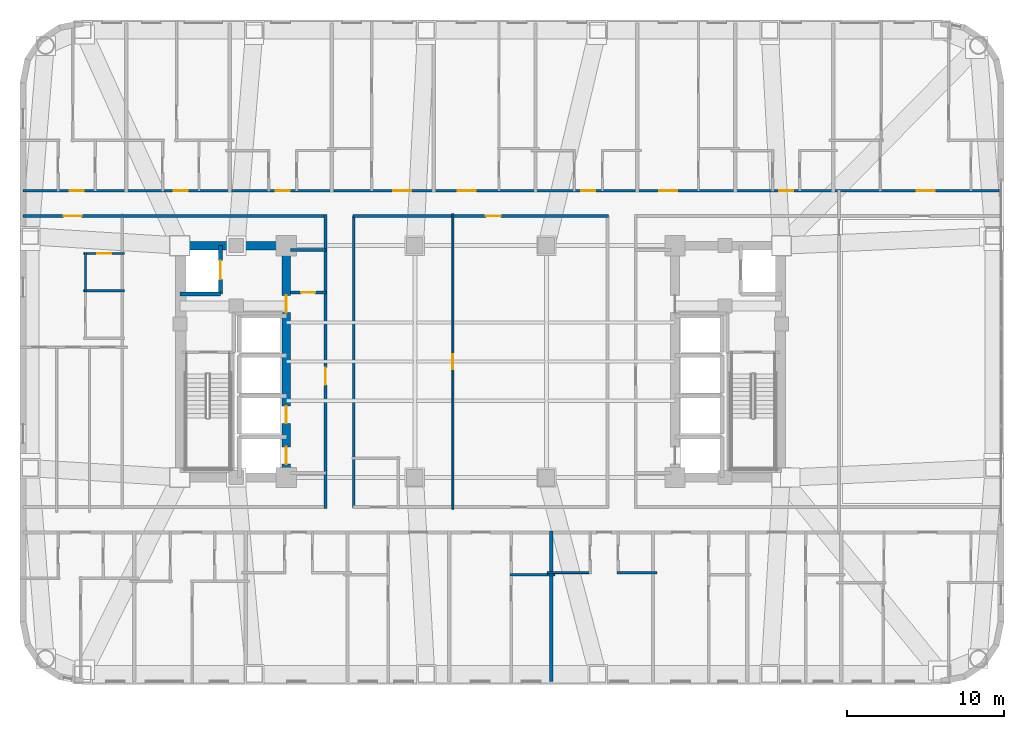
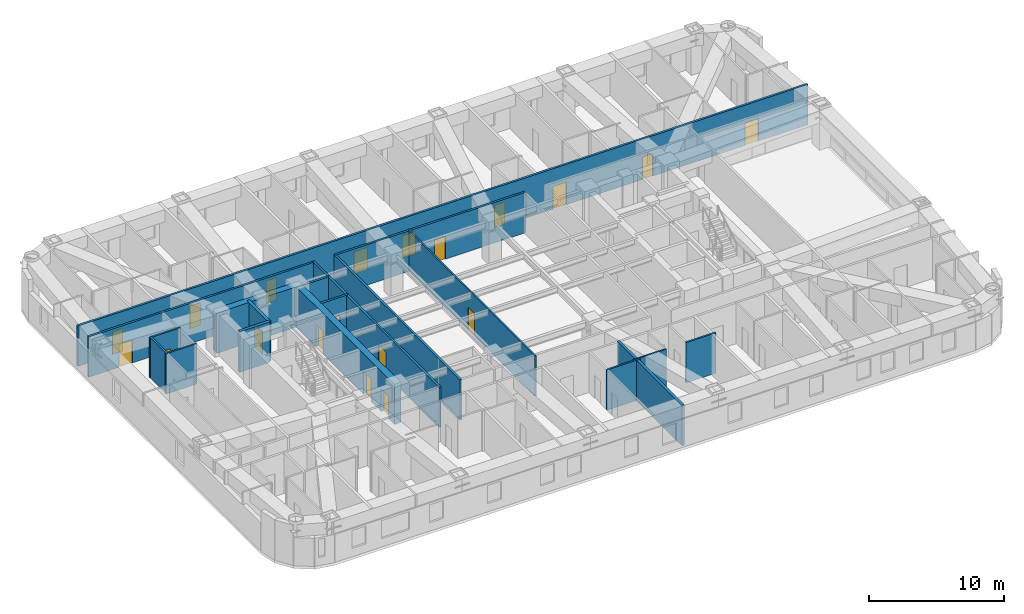
# One storey, part 10 of 16: 19 doors, 19 walls, 19 openings.
"""IFC4 building model written with IfcOpenShell, lengths in metres."""

from ifc_helpers import new_model, si_unit, direction, frame, frame_2d, origin, place, context, subcontext, project, spatial, rectangle, extrude, material, layer, layer_set, type_object, element, fill, save


model = new_model("IFC4")

# Units and contexts
model_context = context("Model", 3, precision=1e-05, world=origin(), true_north=direction((0.0, 1.0)))
body_context = subcontext(model_context, "Body", "Model", "MODEL_VIEW")
ifc_project = project(units=[si_unit("LENGTHUNIT", "METRE"), si_unit("AREAUNIT", "SQUARE_METRE"), si_unit("VOLUMEUNIT", "CUBIC_METRE"), si_unit("PLANEANGLEUNIT", "RADIAN"), si_unit("MASSUNIT", "GRAM", prefix="KILO")], contexts=[model_context])

# Site, building, storey
site_placement = place(None, origin())
site = spatial("IfcSite", under=ifc_project, at=site_placement, CompositionType="ELEMENT")
building_placement = place(site_placement, origin())
building = spatial("IfcBuilding", under=site, at=building_placement, Name="Voryun Gate Residences", CompositionType="ELEMENT")
storey_placement = place(building_placement, frame((0.0, 0.0, 89.699951171875)))
storey = spatial("IfcBuildingStorey", under=building, at=storey_placement, Name="L21", CompositionType="ELEMENT", Elevation=89.699951171875)

# Wall
ifc_material_1 = material(Name="Concrete C60/75", Category="concrete")
ifc_layer_1 = layer(ifc_material_1, 0.550048828125, Name="CW_CORE_550")
ifc_layer_set_1 = layer_set([ifc_layer_1], Name="Concrete C60/75")
wall_type_1 = type_object("IfcWallType", Name="CW_CORE_550", PredefinedType="SHEAR", material=ifc_layer_set_1)
wall_1_placement = place(storey_placement, frame((-19.47509765625, 7.39990234375, 0.0), z_axis=(0.0, 0.0, 1.0), x_axis=(1.0, 0.0, 0.0)))
element("IfcWall", 1, at=wall_1_placement, inside=storey, type_object=wall_type_1, Name="L21 Core shear wall CW-L21-WN", PredefinedType="SHEAR", context=body_context, shape_type="SweptSolid", body=[
    extrude(rectangle(XDim=7.35009765625, YDim=0.550048828125, at=frame_2d((3.675048828125, 0.0))), origin(), (0.0, 0.0, 1.0), 3.650146484375),
])

# Wall, openings, doors
wall_2_placement = place(storey_placement, frame((-12.39990234375, -7.39990234375, 0.0), z_axis=(0.0, 0.0, 1.0), x_axis=(0.0, 1.0, 0.0)))
wall_2 = element("IfcWall", 2, at=wall_2_placement, inside=storey, type_object=wall_type_1, Name="L21 Core shear wall CW-L21-WE", PredefinedType="SHEAR", context=body_context, shape_type="SweptSolid", body=[
    extrude(rectangle(XDim=14.7998046875, YDim=0.550048828125, at=frame_2d((7.39990234375, 0.0))), origin(), (0.0, 0.0, 1.0), 3.650146484375),
])
opening_1_placement = place(wall_2_placement, frame((0.85009765625, 0.0, 0.0)))
opening_1 = element("IfcOpeningElement", 3, at=opening_1_placement, cuts=wall_2, Name="Opening LD2", PredefinedType="OPENING", context=body_context, shape_type="SweptSolid", body=[
    extrude(rectangle(XDim=1.10009765625, YDim=2.050048828125, at=frame_2d((0.550048828125, 1.02490234375))), frame((0.0, 0.284912109375, 0.0), z_axis=(0.0, -1.0, 0.0), x_axis=(1.0, 0.0, 0.0)), (0.0, 0.0, 1.0), 0.570068359375),
])
opening_2_placement = place(wall_2_placement, frame((3.449951171875, 0.0, 0.0)))
opening_2 = element("IfcOpeningElement", 4, at=opening_2_placement, cuts=wall_2, Name="Opening LD2", PredefinedType="OPENING", context=body_context, shape_type="SweptSolid", body=[
    extrude(rectangle(XDim=1.10009765625, YDim=2.050048828125, at=frame_2d((0.550048828125, 1.02490234375))), frame((0.0, 0.284912109375, 0.0), z_axis=(0.0, -1.0, 0.0), x_axis=(1.0, 0.0, 0.0)), (0.0, 0.0, 1.0), 0.570068359375),
])
opening_3_placement = place(wall_2_placement, frame((10.530029296875, 0.0, 0.0)))
opening_3 = element("IfcOpeningElement", 5, at=opening_3_placement, cuts=wall_2, Name="Opening D-FD60-2", PredefinedType="OPENING", context=body_context, shape_type="SweptSolid", body=[
    extrude(rectangle(XDim=1.10009765625, YDim=2.050048828125, at=frame_2d((0.550048828125, 1.02490234375))), frame((0.0, 0.284912109375, 0.0), z_axis=(0.0, -1.0, 0.0), x_axis=(1.0, 0.0, 0.0)), (0.0, 0.0, 1.0), 0.570068359375),
])
ifc_material_2 = material(Name="Painted steel fire door", Category="steel")
door_type_1 = type_object("IfcDoorType", Name="DR_FD60_FFLOB_1100", OperationType="NOTDEFINED", PredefinedType="DOOR", material=ifc_material_2)
door_1_placement = place(opening_3_placement, origin())
door_1 = element("IfcDoor", 6, at=door_1_placement, inside=storey, type_object=door_type_1, Name="Door DR-L21-CLOB-W", OperationType="SINGLE_SWING_LEFT", OverallHeight=2.050048828125, OverallWidth=1.10009765625, PredefinedType="DOOR", context=body_context, shape_type="SweptSolid", body=[
    extrude(rectangle(XDim=1.10009765625, YDim=2.050048828125, at=frame_2d((0.550048828125, 1.02490234375))), frame((0.0, 0.02490234375, 0.0), z_axis=(0.0, -1.0, 0.0), x_axis=(1.0, 0.0, 0.0)), (0.0, 0.0, 1.0), 0.050048828125),
])
fill(opening_3, door_1)
ifc_material_3 = material(Name="Anodised aluminium", Category="aluminium")
door_type_2 = type_object("IfcDoorType", Name="DR_LD_PASS_1100", OperationType="NOTDEFINED", PredefinedType="DOOR", material=ifc_material_3)
door_2_placement = place(opening_1_placement, origin())
door_2 = element("IfcDoor", 7, at=door_2_placement, inside=storey, type_object=door_type_2, Name="Lift EL-P1 sliding landing door L21", OperationType="SLIDING_TO_LEFT", OverallHeight=2.050048828125, OverallWidth=1.10009765625, PredefinedType="DOOR", context=body_context, shape_type="SweptSolid", body=[
    extrude(rectangle(XDim=1.10009765625, YDim=2.050048828125, at=frame_2d((0.550048828125, 1.02490234375))), frame((0.0, 0.02490234375, 0.0), z_axis=(0.0, -1.0, 0.0), x_axis=(1.0, 0.0, 0.0)), (0.0, 0.0, 1.0), 0.050048828125),
])
fill(opening_1, door_2)
door_3_placement = place(opening_2_placement, origin())
door_3 = element("IfcDoor", 8, at=door_3_placement, inside=storey, type_object=door_type_2, Name="Lift EL-P2 sliding landing door L21", OperationType="SLIDING_TO_LEFT", OverallHeight=2.050048828125, OverallWidth=1.10009765625, PredefinedType="DOOR", context=body_context, shape_type="SweptSolid", body=[
    extrude(rectangle(XDim=1.10009765625, YDim=2.050048828125, at=frame_2d((0.550048828125, 1.02490234375))), frame((0.0, 0.02490234375, 0.0), z_axis=(0.0, -1.0, 0.0), x_axis=(1.0, 0.0, 0.0)), (0.0, 0.0, 1.0), 0.050048828125),
])
fill(opening_2, door_3)

# Wall
ifc_material_4 = material(Name="Gypsum acoustic fireboard")
ifc_layer_2 = layer(ifc_material_4, 0.179931640625, Name="W_CORR_RATED_180")
ifc_layer_set_2 = layer_set([ifc_layer_2], Name="Gypsum acoustic fireboard")
wall_type_2 = type_object("IfcWallType", Name="W_CORR_RATED_180", PredefinedType="PARTITIONING", material=ifc_layer_set_2)
wall_3_placement = place(storey_placement, frame((-12.14990234375, 7.1201171875, 0.0), z_axis=(0.0, 0.0, 1.0), x_axis=(1.0, 0.0, 0.0)))
element("IfcWall", 9, at=wall_3_placement, inside=storey, type_object=wall_type_2, Name="Partition wall WP-L21-PLBN-W", PredefinedType="PARTITIONING", context=body_context, shape_type="SweptSolid", body=[
    extrude(rectangle(XDim=2.27001953125, YDim=0.179931640625, at=frame_2d((1.135009765625, 0.0))), origin(), (0.0, 0.0, 1.0), 3.650146484375),
])

# Wall, opening, door
wall_4_placement = place(storey_placement, frame((-9.89990234375, -9.3798828125, 0.0), z_axis=(0.0, 0.0, 1.0), x_axis=(0.0, 1.0, 0.0)))
wall_4 = element("IfcWall", 10, at=wall_4_placement, inside=storey, type_object=wall_type_2, Name="Partition wall WP-L21-PLBW-FULL", PredefinedType="PARTITIONING", context=body_context, shape_type="SweptSolid", body=[
    extrude(rectangle(XDim=18.759765625, YDim=0.179931640625, at=frame_2d((9.3798828125, 0.0))), origin(), (0.0, 0.0, 1.0), 3.650146484375),
])
opening_4_placement = place(wall_4_placement, frame((7.89208984375, 0.0, 0.0)))
opening_4 = element("IfcOpeningElement", 11, at=opening_4_placement, cuts=wall_4, Name="Opening D-FD60-2", PredefinedType="OPENING", context=body_context, shape_type="SweptSolid", body=[
    extrude(rectangle(XDim=1.10009765625, YDim=2.050048828125, at=frame_2d((0.550048828125, 1.02490234375))), frame((0.0, 0.099853515625, 0.0), z_axis=(0.0, -1.0, 0.0), x_axis=(1.0, 0.0, 0.0)), (0.0, 0.0, 1.0), 0.199951171875),
])
door_4_placement = place(opening_4_placement, origin())
door_4 = element("IfcDoor", 12, at=door_4_placement, inside=storey, type_object=door_type_1, Name="Door DR-L21-PLBW-COR", OperationType="SINGLE_SWING_LEFT", OverallHeight=2.050048828125, OverallWidth=1.10009765625, PredefinedType="DOOR", context=body_context, shape_type="SweptSolid", body=[
    extrude(rectangle(XDim=1.10009765625, YDim=2.050048828125, at=frame_2d((0.550048828125, 1.02490234375))), frame((0.0, 0.02490234375, 0.0), z_axis=(0.0, -1.0, 0.0), x_axis=(1.0, 0.0, 0.0)), (0.0, 0.0, 1.0), 0.050048828125),
])
fill(opening_4, door_4)

wall_5_placement = place(storey_placement, frame((-29.2099609375, 9.2900390625, 0.0), z_axis=(0.0, 0.0, 1.0), x_axis=(1.0, 0.0, 0.0)))
wall_5 = element("IfcWall", 13, at=wall_5_placement, inside=storey, type_object=wall_type_2, Name="Partition wall WP-L21-CWING-WN", PredefinedType="PARTITIONING", context=body_context, shape_type="SweptSolid", body=[
    extrude(rectangle(XDim=19.330078125, YDim=0.179931640625, at=frame_2d((9.6650390625, 0.0))), origin(), (0.0, 0.0, 1.0), 3.650146484375),
])
opening_5_placement = place(wall_5_placement, frame((2.58935546875, 0.0, 0.0)))
opening_5 = element("IfcOpeningElement", 14, at=opening_5_placement, cuts=wall_5, Name="Opening D-UNIT-1", PredefinedType="OPENING", context=body_context, shape_type="SweptSolid", body=[
    extrude(rectangle(XDim=1.14990234375, YDim=2.050048828125, at=frame_2d((0.574951171875, 1.02490234375))), frame((0.0, 0.099853515625, 0.0), z_axis=(0.0, -1.0, 0.0), x_axis=(1.0, 0.0, 0.0)), (0.0, 0.0, 1.0), 0.199951171875),
])
ifc_material_5 = material(Name="Armoured timber-clad fire door", Category="wood")
door_type_3 = type_object("IfcDoorType", Name="DR_UNIT_ENTRY_1150", OperationType="NOTDEFINED", PredefinedType="DOOR", material=ifc_material_5)
door_5_placement = place(opening_5_placement, origin())
door_5 = element("IfcDoor", 15, at=door_5_placement, inside=storey, type_object=door_type_3, Name="Door DR-L21-WE1N", OperationType="SINGLE_SWING_LEFT", OverallHeight=2.050048828125, OverallWidth=1.14990234375, PredefinedType="DOOR", context=body_context, shape_type="SweptSolid", body=[
    extrude(rectangle(XDim=1.14990234375, YDim=2.050048828125, at=frame_2d((0.574951171875, 1.02490234375))), frame((0.0, 0.02490234375, 0.0), z_axis=(0.0, -1.0, 0.0), x_axis=(1.0, 0.0, 0.0)), (0.0, 0.0, 1.0), 0.050048828125),
])
fill(opening_5, door_5)

wall_6_placement = place(storey_placement, frame((-8.14990234375, 9.2900390625, 0.0), z_axis=(0.0, 0.0, 1.0), x_axis=(1.0, 0.0, 0.0)))
wall_6 = element("IfcWall", 16, at=wall_6_placement, inside=storey, type_object=wall_type_2, Name="Partition wall WP-L21-Z1N", PredefinedType="PARTITIONING", context=body_context, shape_type="SweptSolid", body=[
    extrude(rectangle(XDim=16.2998046875, YDim=0.179931640625, at=frame_2d((8.14990234375, 0.0))), origin(), (0.0, 0.0, 1.0), 3.650146484375),
])
opening_6_placement = place(wall_6_placement, frame((8.489990234375, 0.0, 0.0)))
opening_6 = element("IfcOpeningElement", 17, at=opening_6_placement, cuts=wall_6, Name="Opening D-INT-1", PredefinedType="OPENING", context=body_context, shape_type="SweptSolid", body=[
    extrude(rectangle(XDim=0.949951171875, YDim=2.050048828125, at=frame_2d((0.47509765625, 1.02490234375))), frame((0.0, 0.099853515625, 0.0), z_axis=(0.0, -1.0, 0.0), x_axis=(1.0, 0.0, 0.0)), (0.0, 0.0, 1.0), 0.199951171875),
])
ifc_material_6 = material(Name="Architectural oak veneer")
door_type_4 = type_object("IfcDoorType", Name="DR_INT_ROOM_950", OperationType="NOTDEFINED", PredefinedType="DOOR", material=ifc_material_6)
door_6_placement = place(opening_6_placement, origin())
door_6 = element("IfcDoor", 18, at=door_6_placement, inside=storey, type_object=door_type_4, Name="Door DR-L21-CMIDZ1N", OperationType="SINGLE_SWING_LEFT", OverallHeight=2.050048828125, OverallWidth=0.949951171875, PredefinedType="DOOR", context=body_context, shape_type="SweptSolid", body=[
    extrude(rectangle(XDim=0.949951171875, YDim=2.050048828125, at=frame_2d((0.47509765625, 1.02490234375))), frame((0.0, 0.02490234375, 0.0), z_axis=(0.0, -1.0, 0.0), x_axis=(1.0, 0.0, 0.0)), (0.0, 0.0, 1.0), 0.050048828125),
])
fill(opening_6, door_6)

# Wall
wall_7_placement = place(storey_placement, frame((-8.10009765625, -9.330078125, 0.0), z_axis=(0.0, 0.0, 1.0), x_axis=(0.0, 1.0, 0.0)))
element("IfcWall", 19, at=wall_7_placement, inside=storey, type_object=wall_type_2, Name="Partition wall WP-L21-Z1W", PredefinedType="PARTITIONING", context=body_context, shape_type="SweptSolid", body=[
    extrude(rectangle(XDim=18.66015625, YDim=0.179931640625, at=frame_2d((9.330078125, 0.0))), origin(), (0.0, 0.0, 1.0), 3.650146484375),
])

# Wall, openings, doors
wall_8_placement = place(storey_placement, frame((-29.2099609375, 10.89990234375, 0.0), z_axis=(0.0, 0.0, 1.0), x_axis=(1.0, 0.0, 0.0)))
wall_8 = element("IfcWall", 20, at=wall_8_placement, inside=storey, type_object=wall_type_2, Name="Partition wall WP-L21-NCORR", PredefinedType="PARTITIONING", context=body_context, shape_type="SweptSolid", body=[
    extrude(rectangle(XDim=62.419921875, YDim=0.179931640625, at=frame_2d((31.2099609375, 0.0))), origin(), (0.0, 0.0, 1.0), 3.650146484375),
])
opening_7_placement = place(wall_8_placement, frame((2.983154296875, 0.0, 0.0)))
opening_7 = element("IfcOpeningElement", 21, at=opening_7_placement, cuts=wall_8, Name="Opening D-INT-2", PredefinedType="OPENING", context=body_context, shape_type="SweptSolid", body=[
    extrude(rectangle(XDim=0.89990234375, YDim=2.050048828125, at=frame_2d((0.449951171875, 1.02490234375))), frame((0.0, 0.099853515625, 0.0), z_axis=(0.0, -1.0, 0.0), x_axis=(1.0, 0.0, 0.0)), (0.0, 0.0, 1.0), 0.199951171875),
])
opening_8_placement = place(wall_8_placement, frame((9.618408203125, 0.0, 0.0)))
opening_8 = element("IfcOpeningElement", 22, at=opening_8_placement, cuts=wall_8, Name="Opening D-INT-2", PredefinedType="OPENING", context=body_context, shape_type="SweptSolid", body=[
    extrude(rectangle(XDim=0.89990234375, YDim=2.050048828125, at=frame_2d((0.449951171875, 1.02490234375))), frame((0.0, 0.099853515625, 0.0), z_axis=(0.0, -1.0, 0.0), x_axis=(1.0, 0.0, 0.0)), (0.0, 0.0, 1.0), 0.199951171875),
])
opening_9_placement = place(wall_8_placement, frame((16.135009765625, 0.0, 0.0)))
opening_9 = element("IfcOpeningElement", 23, at=opening_9_placement, cuts=wall_8, Name="Opening D-INT-2", PredefinedType="OPENING", context=body_context, shape_type="SweptSolid", body=[
    extrude(rectangle(XDim=0.89990234375, YDim=2.050048828125, at=frame_2d((0.449951171875, 1.02490234375))), frame((0.0, 0.099853515625, 0.0), z_axis=(0.0, -1.0, 0.0), x_axis=(1.0, 0.0, 0.0)), (0.0, 0.0, 1.0), 0.199951171875),
])
opening_10_placement = place(wall_8_placement, frame((23.631591796875, 0.0, 0.0)))
opening_10 = element("IfcOpeningElement", 24, at=opening_10_placement, cuts=wall_8, Name="Opening D-UNIT-1", PredefinedType="OPENING", context=body_context, shape_type="SweptSolid", body=[
    extrude(rectangle(XDim=1.14990234375, YDim=2.050048828125, at=frame_2d((0.574951171875, 1.02490234375))), frame((0.0, 0.099853515625, 0.0), z_axis=(0.0, -1.0, 0.0), x_axis=(1.0, 0.0, 0.0)), (0.0, 0.0, 1.0), 0.199951171875),
])
opening_11_placement = place(wall_8_placement, frame((27.751220703125, 0.0, 0.0)))
opening_11 = element("IfcOpeningElement", 25, at=opening_11_placement, cuts=wall_8, Name="Opening D-UNIT-1", PredefinedType="OPENING", context=body_context, shape_type="SweptSolid", body=[
    extrude(rectangle(XDim=1.14990234375, YDim=2.050048828125, at=frame_2d((0.574951171875, 1.02490234375))), frame((0.0, 0.099853515625, 0.0), z_axis=(0.0, -1.0, 0.0), x_axis=(1.0, 0.0, 0.0)), (0.0, 0.0, 1.0), 0.199951171875),
])
opening_12_placement = place(wall_8_placement, frame((35.635009765625, 0.0, 0.0)))
opening_12 = element("IfcOpeningElement", 26, at=opening_12_placement, cuts=wall_8, Name="Opening D-INT-2", PredefinedType="OPENING", context=body_context, shape_type="SweptSolid", body=[
    extrude(rectangle(XDim=0.89990234375, YDim=2.050048828125, at=frame_2d((0.449951171875, 1.02490234375))), frame((0.0, 0.099853515625, 0.0), z_axis=(0.0, -1.0, 0.0), x_axis=(1.0, 0.0, 0.0)), (0.0, 0.0, 1.0), 0.199951171875),
])
opening_13_placement = place(wall_8_placement, frame((40.615966796875, 0.0, 0.0)))
opening_13 = element("IfcOpeningElement", 27, at=opening_13_placement, cuts=wall_8, Name="Opening D-UNIT-1", PredefinedType="OPENING", context=body_context, shape_type="SweptSolid", body=[
    extrude(rectangle(XDim=1.14990234375, YDim=2.050048828125, at=frame_2d((0.574951171875, 1.02490234375))), frame((0.0, 0.099853515625, 0.0), z_axis=(0.0, -1.0, 0.0), x_axis=(1.0, 0.0, 0.0)), (0.0, 0.0, 1.0), 0.199951171875),
])
opening_14_placement = place(wall_8_placement, frame((48.25634765625, 0.0, 0.0)))
opening_14 = element("IfcOpeningElement", 28, at=opening_14_placement, cuts=wall_8, Name="Opening D-INT-2", PredefinedType="OPENING", context=body_context, shape_type="SweptSolid", body=[
    extrude(rectangle(XDim=0.89990234375, YDim=2.050048828125, at=frame_2d((0.449951171875, 1.02490234375))), frame((0.0, 0.099853515625, 0.0), z_axis=(0.0, -1.0, 0.0), x_axis=(1.0, 0.0, 0.0)), (0.0, 0.0, 1.0), 0.199951171875),
])
opening_15_placement = place(wall_8_placement, frame((57.032470703125, 0.0, 0.0)))
opening_15 = element("IfcOpeningElement", 29, at=opening_15_placement, cuts=wall_8, Name="Opening D-UNIT-1", PredefinedType="OPENING", context=body_context, shape_type="SweptSolid", body=[
    extrude(rectangle(XDim=1.14990234375, YDim=2.050048828125, at=frame_2d((0.574951171875, 1.02490234375))), frame((0.0, 0.099853515625, 0.0), z_axis=(0.0, -1.0, 0.0), x_axis=(1.0, 0.0, 0.0)), (0.0, 0.0, 1.0), 0.199951171875),
])
ifc_material_7 = material(Name="Architectural oak veneer")
door_type_5 = type_object("IfcDoorType", Name="DR_INT_BATH_900", OperationType="NOTDEFINED", PredefinedType="DOOR", material=ifc_material_7)
door_7_placement = place(opening_7_placement, origin())
door_7 = element("IfcDoor", 30, at=door_7_placement, inside=storey, type_object=door_type_5, Name="Door DR-L21-NENT-1", OperationType="SINGLE_SWING_LEFT", OverallHeight=2.050048828125, OverallWidth=0.89990234375, PredefinedType="DOOR", context=body_context, shape_type="SweptSolid", body=[
    extrude(rectangle(XDim=0.89990234375, YDim=2.050048828125, at=frame_2d((0.449951171875, 1.02490234375))), frame((0.0, 0.02490234375, 0.0), z_axis=(0.0, -1.0, 0.0), x_axis=(1.0, 0.0, 0.0)), (0.0, 0.0, 1.0), 0.050048828125),
])
fill(opening_7, door_7)
door_8_placement = place(opening_8_placement, origin())
door_8 = element("IfcDoor", 31, at=door_8_placement, inside=storey, type_object=door_type_5, Name="Door DR-L21-NENT-2", OperationType="SINGLE_SWING_RIGHT", OverallHeight=2.050048828125, OverallWidth=0.89990234375, PredefinedType="DOOR", context=body_context, shape_type="SweptSolid", body=[
    extrude(rectangle(XDim=0.89990234375, YDim=2.050048828125, at=frame_2d((0.449951171875, 1.02490234375))), frame((0.0, 0.02490234375, 0.0), z_axis=(0.0, -1.0, 0.0), x_axis=(1.0, 0.0, 0.0)), (0.0, 0.0, 1.0), 0.050048828125),
])
fill(opening_8, door_8)
door_9_placement = place(opening_9_placement, origin())
door_9 = element("IfcDoor", 32, at=door_9_placement, inside=storey, type_object=door_type_5, Name="Door DR-L21-NENT-3", OperationType="SINGLE_SWING_LEFT", OverallHeight=2.050048828125, OverallWidth=0.89990234375, PredefinedType="DOOR", context=body_context, shape_type="SweptSolid", body=[
    extrude(rectangle(XDim=0.89990234375, YDim=2.050048828125, at=frame_2d((0.449951171875, 1.02490234375))), frame((0.0, 0.02490234375, 0.0), z_axis=(0.0, -1.0, 0.0), x_axis=(1.0, 0.0, 0.0)), (0.0, 0.0, 1.0), 0.050048828125),
])
fill(opening_9, door_9)
door_10_placement = place(opening_12_placement, origin())
door_10 = element("IfcDoor", 33, at=door_10_placement, inside=storey, type_object=door_type_5, Name="Door DR-L21-NENT-6", OperationType="SINGLE_SWING_RIGHT", OverallHeight=2.050048828125, OverallWidth=0.89990234375, PredefinedType="DOOR", context=body_context, shape_type="SweptSolid", body=[
    extrude(rectangle(XDim=0.89990234375, YDim=2.050048828125, at=frame_2d((0.449951171875, 1.02490234375))), frame((0.0, 0.02490234375, 0.0), z_axis=(0.0, -1.0, 0.0), x_axis=(1.0, 0.0, 0.0)), (0.0, 0.0, 1.0), 0.050048828125),
])
fill(opening_12, door_10)
door_11_placement = place(opening_14_placement, origin())
door_11 = element("IfcDoor", 34, at=door_11_placement, inside=storey, type_object=door_type_5, Name="Door DR-L21-NENT-8", OperationType="SINGLE_SWING_RIGHT", OverallHeight=2.050048828125, OverallWidth=0.89990234375, PredefinedType="DOOR", context=body_context, shape_type="SweptSolid", body=[
    extrude(rectangle(XDim=0.89990234375, YDim=2.050048828125, at=frame_2d((0.449951171875, 1.02490234375))), frame((0.0, 0.02490234375, 0.0), z_axis=(0.0, -1.0, 0.0), x_axis=(1.0, 0.0, 0.0)), (0.0, 0.0, 1.0), 0.050048828125),
])
fill(opening_14, door_11)
door_12_placement = place(opening_10_placement, origin())
door_12 = element("IfcDoor", 35, at=door_12_placement, inside=storey, type_object=door_type_3, Name="Door DR-L21-NENT-4", OperationType="SINGLE_SWING_RIGHT", OverallHeight=2.050048828125, OverallWidth=1.14990234375, PredefinedType="DOOR", context=body_context, shape_type="SweptSolid", body=[
    extrude(rectangle(XDim=1.14990234375, YDim=2.050048828125, at=frame_2d((0.574951171875, 1.02490234375))), frame((0.0, 0.02490234375, 0.0), z_axis=(0.0, -1.0, 0.0), x_axis=(1.0, 0.0, 0.0)), (0.0, 0.0, 1.0), 0.050048828125),
])
fill(opening_10, door_12)
door_13_placement = place(opening_11_placement, origin())
door_13 = element("IfcDoor", 36, at=door_13_placement, inside=storey, type_object=door_type_3, Name="Door DR-L21-NENT-5", OperationType="SINGLE_SWING_LEFT", OverallHeight=2.050048828125, OverallWidth=1.14990234375, PredefinedType="DOOR", context=body_context, shape_type="SweptSolid", body=[
    extrude(rectangle(XDim=1.14990234375, YDim=2.050048828125, at=frame_2d((0.574951171875, 1.02490234375))), frame((0.0, 0.02490234375, 0.0), z_axis=(0.0, -1.0, 0.0), x_axis=(1.0, 0.0, 0.0)), (0.0, 0.0, 1.0), 0.050048828125),
])
fill(opening_11, door_13)
door_14_placement = place(opening_13_placement, origin())
door_14 = element("IfcDoor", 37, at=door_14_placement, inside=storey, type_object=door_type_3, Name="Door DR-L21-NENT-7", OperationType="SINGLE_SWING_LEFT", OverallHeight=2.050048828125, OverallWidth=1.14990234375, PredefinedType="DOOR", context=body_context, shape_type="SweptSolid", body=[
    extrude(rectangle(XDim=1.14990234375, YDim=2.050048828125, at=frame_2d((0.574951171875, 1.02490234375))), frame((0.0, 0.02490234375, 0.0), z_axis=(0.0, -1.0, 0.0), x_axis=(1.0, 0.0, 0.0)), (0.0, 0.0, 1.0), 0.050048828125),
])
fill(opening_13, door_14)
door_15_placement = place(opening_15_placement, origin())
door_15 = element("IfcDoor", 38, at=door_15_placement, inside=storey, type_object=door_type_3, Name="Door DR-L21-NENT-9", OperationType="SINGLE_SWING_LEFT", OverallHeight=2.050048828125, OverallWidth=1.14990234375, PredefinedType="DOOR", context=body_context, shape_type="SweptSolid", body=[
    extrude(rectangle(XDim=1.14990234375, YDim=2.050048828125, at=frame_2d((0.574951171875, 1.02490234375))), frame((0.0, 0.02490234375, 0.0), z_axis=(0.0, -1.0, 0.0), x_axis=(1.0, 0.0, 0.0)), (0.0, 0.0, 1.0), 0.050048828125),
])
fill(opening_15, door_15)

# Wall, opening, door
ifc_material_8 = material(Name="Concrete C40/50", Category="concrete")
ifc_layer_3 = layer(ifc_material_8, 0.199951171875, Name="W_FF_LOBBY_200")
ifc_layer_set_3 = layer_set([ifc_layer_3], Name="Concrete C40/50")
wall_type_3 = type_object("IfcWallType", Name="W_FF_LOBBY_200", PredefinedType="PARTITIONING", material=ifc_layer_set_3)
wall_9_placement = place(storey_placement, frame((-12.14990234375, 4.409912109375, 0.0), z_axis=(0.0, 0.0, 1.0), x_axis=(1.0, 0.0, 0.0)))
wall_9 = element("IfcWall", 39, at=wall_9_placement, inside=storey, type_object=wall_type_3, Name="Partition wall WP-L21-CSFLKS-W", PredefinedType="PARTITIONING", context=body_context, shape_type="SweptSolid", body=[
    extrude(rectangle(XDim=2.27001953125, YDim=0.199951171875, at=frame_2d((1.135009765625, 0.0))), origin(), (0.0, 0.0, 1.0), 3.650146484375),
])
opening_16_placement = place(wall_9_placement, frame((0.68505859375, 0.0, 0.0)))
opening_16 = element("IfcOpeningElement", 40, at=opening_16_placement, cuts=wall_9, Name="Opening D-FD60-4", PredefinedType="OPENING", context=body_context, shape_type="SweptSolid", body=[
    extrude(rectangle(XDim=0.89990234375, YDim=2.050048828125, at=frame_2d((0.449951171875, 1.02490234375))), frame((0.0, 0.110107421875, 0.0), z_axis=(0.0, -1.0, 0.0), x_axis=(1.0, 0.0, 0.0)), (0.0, 0.0, 1.0), 0.219970703125),
])
ifc_material_9 = material(Name="Painted steel fire door", Category="steel")
door_type_6 = type_object("IfcDoorType", Name="DR_FD60_RISER_900", OperationType="NOTDEFINED", PredefinedType="DOOR", material=ifc_material_9)
door_16_placement = place(opening_16_placement, origin())
door_16 = element("IfcDoor", 41, at=door_16_placement, inside=storey, type_object=door_type_6, Name="Door DR-L21-CSFLK-W", OperationType="SINGLE_SWING_LEFT", OverallHeight=2.050048828125, OverallWidth=0.89990234375, PredefinedType="DOOR", context=body_context, shape_type="SweptSolid", body=[
    extrude(rectangle(XDim=0.89990234375, YDim=2.050048828125, at=frame_2d((0.449951171875, 1.02490234375))), frame((0.0, 0.02490234375, 0.0), z_axis=(0.0, -1.0, 0.0), x_axis=(1.0, 0.0, 0.0)), (0.0, 0.0, 1.0), 0.050048828125),
])
fill(opening_16, door_16)

# Walls
ifc_material_10 = material(Name="Concrete C40/50", Category="concrete")
ifc_layer_4 = layer(ifc_material_10, 0.219970703125, Name="W_PARTY_ACOUSTIC_220")
ifc_layer_set_4 = layer_set([ifc_layer_4], Name="Concrete C40/50")
wall_type_4 = type_object("IfcWallType", Name="W_PARTY_ACOUSTIC_220", PredefinedType="PARTITIONING", material=ifc_layer_set_4)
wall_10_placement = place(storey_placement, frame((4.5, -20.409912109375, 0.0), z_axis=(0.0, 0.0, 1.0), x_axis=(0.0, 1.0, 0.0)))
element("IfcWall", 42, at=wall_10_placement, inside=storey, type_object=wall_type_4, Name="Partition wall WP-L21-SPTY-5", PredefinedType="PARTITIONING", context=body_context, shape_type="SweptSolid", body=[
    extrude(rectangle(XDim=9.58984375, YDim=0.219970703125, at=frame_2d((4.794921875, 0.0))), origin(), (0.0, 0.0, 1.0), 3.650146484375),
])
ifc_material_11 = material(Name="Concrete C50/60", Category="concrete")
ifc_layer_5 = layer(ifc_material_11, 0.25, Name="W_SHAFT_RC250")
ifc_layer_set_5 = layer_set([ifc_layer_5], Name="Concrete C50/60")
wall_type_5 = type_object("IfcWallType", Name="W_SHAFT_RC250", PredefinedType="SOLIDWALL", material=ifc_layer_set_5)
wall_11_placement = place(storey_placement, frame((-19.199951171875, 4.300048828125, 0.0), z_axis=(0.0, 0.0, 1.0), x_axis=(1.0, 0.0, 0.0)))
element("IfcWall", 43, at=wall_11_placement, inside=storey, type_object=wall_type_5, Name="Lift shaft wall WSH-L21-EL-FF-W1-S", PredefinedType="SOLIDWALL", context=body_context, shape_type="SweptSolid", body=[
    extrude(rectangle(XDim=2.599853515625, YDim=0.25, at=frame_2d((1.2998046875, 0.0))), origin(), (0.0, 0.0, 1.0), 3.650146484375),
])

# Wall, opening, door
wall_12_placement = place(storey_placement, frame((-16.60009765625, 4.300048828125, 0.0), z_axis=(0.0, 0.0, 1.0), x_axis=(0.0, 1.0, 0.0)))
wall_12 = element("IfcWall", 44, at=wall_12_placement, inside=storey, type_object=wall_type_5, Name="Lift shaft wall WSH-L21-EL-FF-W1-E", PredefinedType="SOLIDWALL", context=body_context, shape_type="SweptSolid", body=[
    extrude(rectangle(XDim=3.099853515625, YDim=0.25, at=frame_2d((1.5498046875, 0.0))), origin(), (0.0, 0.0, 1.0), 3.650146484375),
])
opening_17_placement = place(wall_12_placement, frame((0.949951171875, 0.0, 0.0)))
opening_17 = element("IfcOpeningElement", 45, at=opening_17_placement, cuts=wall_12, Name="Opening LD1", PredefinedType="OPENING", context=body_context, shape_type="SweptSolid", body=[
    extrude(rectangle(XDim=1.199951171875, YDim=2.050048828125, at=frame_2d((0.60009765625, 1.02490234375))), frame((0.0, 0.135009765625, 0.0), z_axis=(0.0, -1.0, 0.0), x_axis=(1.0, 0.0, 0.0)), (0.0, 0.0, 1.0), 0.27001953125),
])
ifc_material_12 = material(Name="Anodised aluminium", Category="aluminium")
door_type_7 = type_object("IfcDoorType", Name="DR_LD_FF_1200", OperationType="NOTDEFINED", PredefinedType="DOOR", material=ifc_material_12)
door_17_placement = place(opening_17_placement, origin())
door_17 = element("IfcDoor", 46, at=door_17_placement, inside=storey, type_object=door_type_7, Name="Lift EL-FF-W1 sliding landing door L21", OperationType="SLIDING_TO_LEFT", OverallHeight=2.050048828125, OverallWidth=1.199951171875, PredefinedType="DOOR", context=body_context, shape_type="SweptSolid", body=[
    extrude(rectangle(XDim=1.199951171875, YDim=2.050048828125, at=frame_2d((0.60009765625, 1.02490234375))), frame((0.0, 0.02490234375, 0.0), z_axis=(0.0, -1.0, 0.0), x_axis=(1.0, 0.0, 0.0)), (0.0, 0.0, 1.0), 0.050048828125),
])
fill(opening_17, door_17)

ifc_material_13 = material(Name="Gypsum acoustic partition")
ifc_layer_6 = layer(ifc_material_13, 0.125, Name="W_UNIT_PART_125")
ifc_layer_set_6 = layer_set([ifc_layer_6], Name="Gypsum acoustic partition")
wall_type_6 = type_object("IfcWallType", Name="W_UNIT_PART_125", PredefinedType="PARTITIONING", material=ifc_layer_set_6)
wall_13_placement = place(storey_placement, frame((-1.77294921875, -9.419921875, 0.0), z_axis=(0.0, 0.0, 1.0), x_axis=(0.0, 1.0, 0.0)))
wall_13 = element("IfcWall", 47, at=wall_13_placement, inside=storey, type_object=wall_type_6, Name="Partition wall WP-L21-MIDX-0", PredefinedType="PARTITIONING", context=body_context, shape_type="SweptSolid", body=[
    extrude(rectangle(XDim=18.83984375, YDim=0.125, at=frame_2d((9.419921875, 0.0))), origin(), (0.0, 0.0, 1.0), 3.650146484375),
])
opening_18_placement = place(wall_13_placement, frame((8.945068359375, 0.0, 0.0)))
opening_18 = element("IfcOpeningElement", 48, at=opening_18_placement, cuts=wall_13, Name="Opening D-INT-1", PredefinedType="OPENING", context=body_context, shape_type="SweptSolid", body=[
    extrude(rectangle(XDim=0.949951171875, YDim=2.050048828125, at=frame_2d((0.47509765625, 1.02490234375))), frame((0.0, 0.072509765625, 0.0), z_axis=(0.0, -1.0, 0.0), x_axis=(1.0, 0.0, 0.0)), (0.0, 0.0, 1.0), 0.14501953125),
])
door_18_placement = place(opening_18_placement, origin())
door_18 = element("IfcDoor", 49, at=door_18_placement, inside=storey, type_object=door_type_4, Name="Door DR-L21-MIDX-0", OperationType="SINGLE_SWING_LEFT", OverallHeight=2.050048828125, OverallWidth=0.949951171875, PredefinedType="DOOR", context=body_context, shape_type="SweptSolid", body=[
    extrude(rectangle(XDim=0.949951171875, YDim=2.050048828125, at=frame_2d((0.47509765625, 1.02490234375))), frame((0.0, 0.02490234375, 0.0), z_axis=(0.0, -1.0, 0.0), x_axis=(1.0, 0.0, 0.0)), (0.0, 0.0, 1.0), 0.050048828125),
])
fill(opening_18, door_18)

# Walls
wall_14_placement = place(storey_placement, frame((4.239990234375, -13.469970703125, 0.0), z_axis=(0.0, 0.0, 1.0), x_axis=(1.0, 0.0, 0.0)))
element("IfcWall", 50, at=wall_14_placement, inside=storey, type_object=wall_type_6, Name="Partition wall WP-L21-S6-CHK", PredefinedType="PARTITIONING", context=body_context, shape_type="SweptSolid", body=[
    extrude(rectangle(XDim=2.803955078125, YDim=0.125, at=frame_2d((1.40185546875, 0.0))), origin(), (0.0, 0.0, 1.0), 3.650146484375),
])
ifc_material_14 = material(Name="Gypsum moisture-resistant partition")
ifc_layer_7 = layer(ifc_material_14, 0.14990234375, Name="W_WET_PLUMB_150")
ifc_layer_set_7 = layer_set([ifc_layer_7], Name="Gypsum moisture-resistant partition")
wall_type_7 = type_object("IfcWallType", Name="W_WET_PLUMB_150", PredefinedType="PLUMBINGWALL", material=ifc_layer_set_7)
wall_15_placement = place(storey_placement, frame((1.8720703125, -13.60009765625, 0.0), z_axis=(0.0, 0.0, 1.0), x_axis=(1.0, 0.0, 0.0)))
element("IfcWall", 51, at=wall_15_placement, inside=storey, type_object=wall_type_7, Name="Partition wall WP-L21-S5-SKB", PredefinedType="PLUMBINGWALL", context=body_context, shape_type="SweptSolid", body=[
    extrude(rectangle(XDim=2.887939453125, YDim=0.14990234375, at=frame_2d((1.44384765625, 0.0))), origin(), (0.0, 0.0, 1.0), 3.650146484375),
])
wall_16_placement = place(storey_placement, frame((8.7109375, -13.469970703125, 0.0), z_axis=(0.0, 0.0, 1.0), x_axis=(1.0, 0.0, 0.0)))
element("IfcWall", 52, at=wall_16_placement, inside=storey, type_object=wall_type_7, Name="Partition wall WP-L21-S6-CHB", PredefinedType="PLUMBINGWALL", context=body_context, shape_type="SweptSolid", body=[
    extrude(rectangle(XDim=2.549072265625, YDim=0.14990234375, at=frame_2d((1.2744140625, 0.0))), origin(), (0.0, 0.0, 1.0), 3.650146484375),
])

# Wall, opening, door
wall_17_placement = place(storey_placement, frame((-25.340087890625, 6.89990234375, 0.0), z_axis=(0.0, 0.0, 1.0), x_axis=(1.0, 0.0, 0.0)))
wall_17 = element("IfcWall", 53, at=wall_17_placement, inside=storey, type_object=wall_type_7, Name="Partition wall WP-L21-W1-IBT", PredefinedType="PLUMBINGWALL", context=body_context, shape_type="SweptSolid", body=[
    extrude(rectangle(XDim=2.6201171875, YDim=0.14990234375, at=frame_2d((1.31005859375, 0.0))), origin(), (0.0, 0.0, 1.0), 3.650146484375),
])
opening_19_placement = place(wall_17_placement, frame((0.860107421875, 0.0, 0.0)))
opening_19 = element("IfcOpeningElement", 54, at=opening_19_placement, cuts=wall_17, Name="Opening D-INT-2", PredefinedType="OPENING", context=body_context, shape_type="SweptSolid", body=[
    extrude(rectangle(XDim=0.89990234375, YDim=2.050048828125, at=frame_2d((0.449951171875, 1.02490234375))), frame((0.0, 0.0849609375, 0.0), z_axis=(0.0, -1.0, 0.0), x_axis=(1.0, 0.0, 0.0)), (0.0, 0.0, 1.0), 0.169921875),
])
door_19_placement = place(opening_19_placement, origin())
door_19 = element("IfcDoor", 55, at=door_19_placement, inside=storey, type_object=door_type_5, Name="Door DR-L21-W1-DK", OperationType="SINGLE_SWING_LEFT", OverallHeight=2.050048828125, OverallWidth=0.89990234375, PredefinedType="DOOR", context=body_context, shape_type="SweptSolid", body=[
    extrude(rectangle(XDim=0.89990234375, YDim=2.050048828125, at=frame_2d((0.449951171875, 1.02490234375))), frame((0.0, 0.02490234375, 0.0), z_axis=(0.0, -1.0, 0.0), x_axis=(1.0, 0.0, 0.0)), (0.0, 0.0, 1.0), 0.050048828125),
])
fill(opening_19, door_19)

# Walls
wall_18_placement = place(storey_placement, frame((-25.340087890625, 4.52001953125, 0.0), z_axis=(0.0, 0.0, 1.0), x_axis=(1.0, 0.0, 0.0)))
element("IfcWall", 56, at=wall_18_placement, inside=storey, type_object=wall_type_7, Name="Partition wall WP-L21-W1-IKB", PredefinedType="PLUMBINGWALL", context=body_context, shape_type="SweptSolid", body=[
    extrude(rectangle(XDim=2.6201171875, YDim=0.14990234375, at=frame_2d((1.31005859375, 0.0))), origin(), (0.0, 0.0, 1.0), 3.650146484375),
])
wall_19_placement = place(storey_placement, frame((-25.219970703125, 4.47998046875, 0.0), z_axis=(0.0, 0.0, 1.0), x_axis=(0.0, 1.0, 0.0)))
element("IfcWall", 57, at=wall_19_placement, inside=storey, type_object=wall_type_7, Name="Partition wall WP-L21-W1-VTSK2", PredefinedType="PLUMBINGWALL", context=body_context, shape_type="SweptSolid", body=[
    extrude(rectangle(XDim=2.47998046875, YDim=0.14990234375, at=frame_2d((1.239990234375, 0.0))), origin(), (0.0, 0.0, 1.0), 3.650146484375),
])

save(model, "model.ifc")
